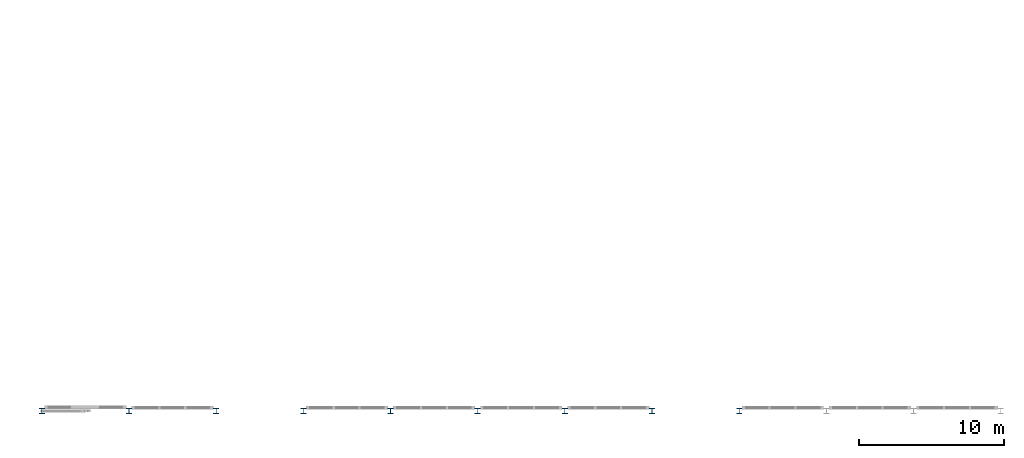
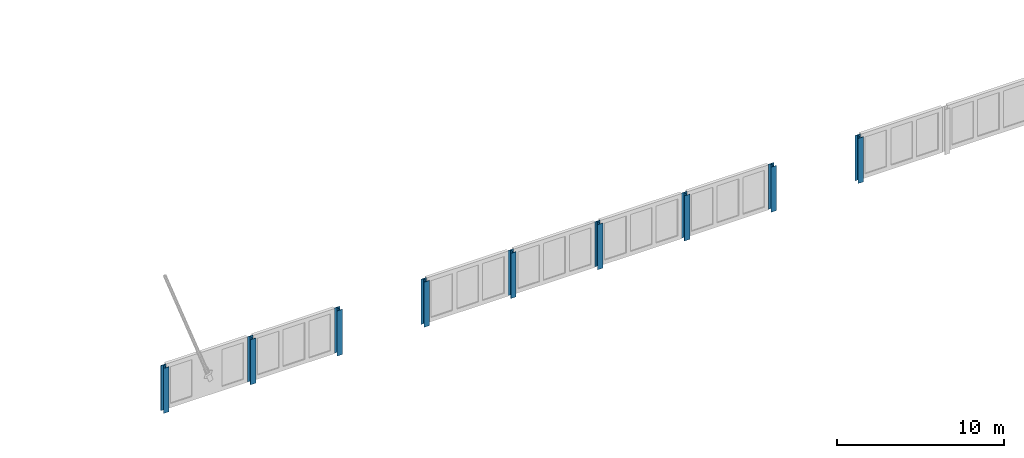
# One storey, part 1 of 198: 9 columns.
"""IFC4 building model written with IfcOpenShell, lengths in metres."""

from ifc_helpers import new_model, si_unit, direction, frame, origin, origin_2d, place, context, subcontext, project, spatial, i_section, extrude, material, material_profile, profile_set, type_object, element, save


model = new_model("IFC4")

# Units and contexts
model_context = context("Model", 3, precision=1e-05, world=origin(), true_north=direction((0.0, 1.0)))
body_context = subcontext(model_context, "Body", "Model", "MODEL_VIEW")
ifc_project = project(units=[si_unit("LENGTHUNIT", "METRE"), si_unit("AREAUNIT", "SQUARE_METRE"), si_unit("VOLUMEUNIT", "CUBIC_METRE"), si_unit("PLANEANGLEUNIT", "RADIAN"), si_unit("MASSUNIT", "GRAM", prefix="KILO")], contexts=[model_context])

# Site, building, storey
site_placement = place(None, origin())
site = spatial("IfcSite", under=ifc_project, at=site_placement, CompositionType="ELEMENT")
building_placement = place(site_placement, origin())
building = spatial("IfcBuilding", under=site, at=building_placement, Name="Parallax Yard Mobility Hub", CompositionType="ELEMENT")
storey_placement = place(building_placement, frame((0.0, 0.0, 6.60009765625)))
storey = spatial("IfcBuildingStorey", under=building, at=storey_placement, Name="L02", CompositionType="ELEMENT", Elevation=6.60009765625)

# Columns
ifc_material = material(Name="Steel ASTM A992", Category="steel")
ifc_material_profile = material_profile(ifc_material, i_section(OverallWidth=0.373046875, OverallDepth=0.367919921875, WebThickness=0.014892578125, FlangeThickness=0.02392578125, FilletRadius=0.01513671875, at=origin_2d()), Name="W360x179")
ifc_profile_set = profile_set([ifc_material_profile], Name="Steel ASTM A992")
column_type = type_object("IfcColumnType", Name="W360x179 column", PredefinedType="COLUMN", material=ifc_profile_set)
for number, where, z_axis, x_axis, name in (
    (1, (9.0, 7.5, 0.0), (0.0, 0.0, 1.0), (1.0, 0.0, 0.0), "Column C7 level L02 at F1/B of bus and taxi deck"),
    (2, (15.0, 7.5, 0.0), (0.0, 0.0, 1.0), (1.0, 0.0, 0.0), "Column C7 level L02 at F2/B of bus and taxi deck"),
    (3, (21.0, 7.5, 0.0), (0.0, 0.0, 1.0), (1.0, 0.0, 0.0), "Column C7 level L02 at F3/B of bus and taxi deck"),
    (4, (27.0, 7.5, 0.0), (0.0, 0.0, 1.0), (1.0, 0.0, 0.0), "Column C7 level L02 at F4/B of bus and taxi deck"),
    (5, (33.0, 7.5, 0.0), (0.0, 0.0, 1.0), (1.0, 0.0, 0.0), "Column C7 level L02 at F5/B of bus and taxi deck"),
    (6, (39.0, 7.5, 0.0), (0.0, 0.0, 1.0), (1.0, 0.0, 0.0), "Column C7 level L02 at F6/B of bus and taxi deck"),
    (7, (45.0, 7.5, 0.0), (0.0, 0.0, 1.0), (1.0, 0.0, 0.0), "Column C7 level L02 at F7/B of bus and taxi deck"),
    (8, (51.0, 7.5, 0.0), (0.0, 0.0, 1.0), (1.0, 0.0, 0.0), "Column C7 level L02 at F8/B of bus and taxi deck"),
    (9, (57.0, 7.5, 0.0), (0.0, 0.0, 1.0), (1.0, 0.0, 0.0), "Column C7 level L02 at F9/B of bus and taxi deck"),
):
    element("IfcColumn", number, at=place(storey_placement, frame(where, z_axis=z_axis, x_axis=x_axis)), inside=storey, type_object=column_type, Name=name, PredefinedType="COLUMN", context=body_context, shape_type="SweptSolid", body=[
        extrude(i_section(OverallWidth=0.373046875, OverallDepth=0.367919921875, WebThickness=0.014892578125, FlangeThickness=0.02392578125, FilletRadius=0.01513671875, at=origin_2d()), origin(), (0.0, 0.0, 1.0), 3.2998046875),
    ])

save(model, "model.ifc")
